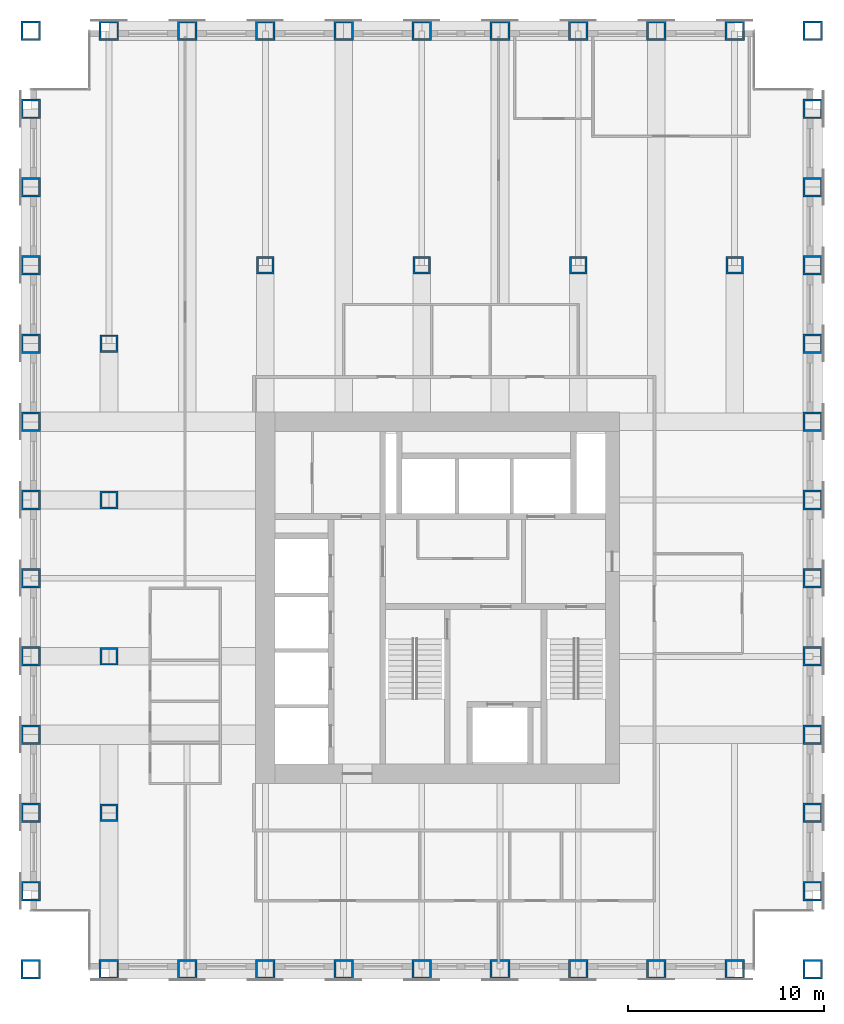
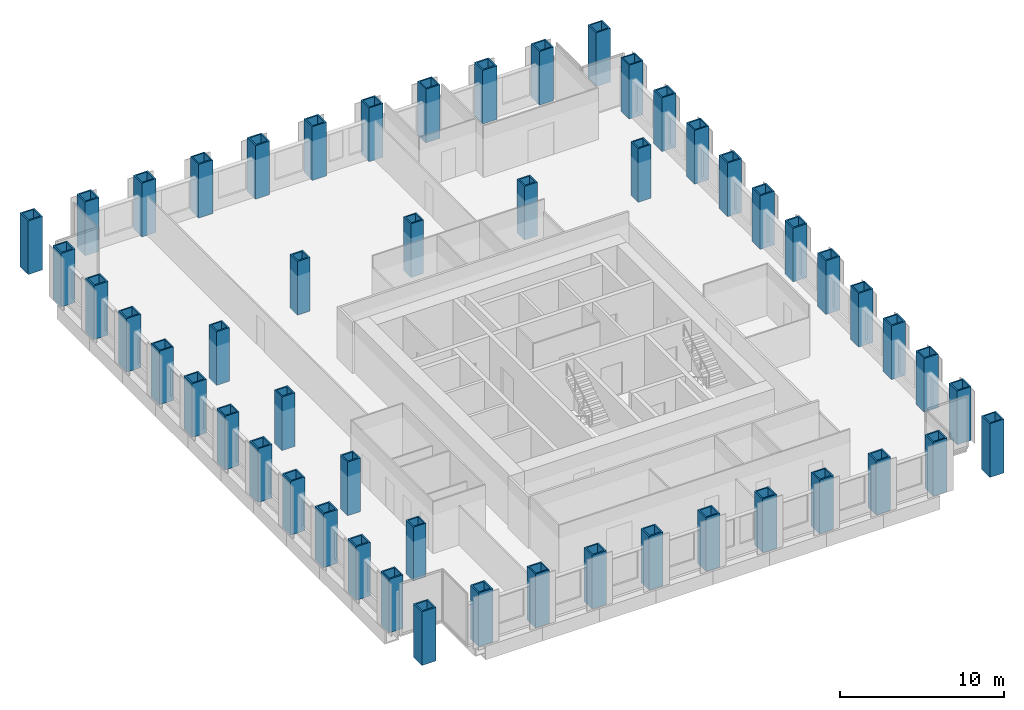
# One storey, part 1 of 13: 52 columns.
"""IFC4 building model written with IfcOpenShell, lengths in metres."""

import ifcopenshell
import ifcopenshell.guid

model = None  # the IFC model being written
_history = None  # IfcOwnerHistory: only IFC2X3 demands one
_inside = {}  # id of a spatial element -> (the spatial element, [elements in it])
_under = {}  # id of a project, library or spatial element -> (it, [spatial elements below it])
_declared = {}  # id of a project -> (the project, [libraries it declares])
_typed = {}  # id of a type object -> (the type object, [elements of that type])
_made_of = {}  # id of a material, layer set ... -> (it, [elements and type objects made of it])


def new_model(schema):
    """Start an empty IFC model of exactly this schema.

    Asked for "IFC4X3", IfcOpenShell would pick the latest addendum, in which some entities
    have other attributes; the version numbers below select the first issue.
    IFC2X3 requires an IfcOwnerHistory on every rooted entity: one is made here for all.
    """
    global model, _history
    if schema == "IFC4X3":
        model = ifcopenshell.file(schema_version=(4, 3, 0, 0))
    else:
        model = ifcopenshell.file(schema=schema)
    _inside.clear()
    _under.clear()
    _declared.clear()
    _typed.clear()
    _made_of.clear()
    _history = None
    if model.schema == "IFC2X3":
        org = make("IfcOrganization", Name="unknown")
        user = make(
            "IfcPersonAndOrganization",
            ThePerson=make("IfcPerson", FamilyName="unknown"),
            TheOrganization=org,
        )
        app = make(
            "IfcApplication",
            ApplicationDeveloper=org,
            Version="unknown",
            ApplicationFullName="unknown",
            ApplicationIdentifier="unknown",
        )
        _history = make(
            "IfcOwnerHistory",
            OwningUser=user,
            OwningApplication=app,
            ChangeAction="ADDED",
            CreationDate=0,
        )
    return model


def make(cls, **values):
    """One entity of the class cls with the attributes given. An attribute that is None is left unset."""
    return model.create_entity(
        cls, **{name: value for name, value in values.items() if value is not None}
    )


def rooted(cls, **values):
    """An entity with a GlobalId (a new one), such as an element, a storey or a relation."""
    return make(cls, GlobalId=ifcopenshell.guid.new(), OwnerHistory=_history, **values)


def si_unit(unit_type, name, prefix=None):
    """IfcSIUnit, for example si_unit("LENGTHUNIT", "METRE", prefix="MILLI")."""
    return make("IfcSIUnit", UnitType=unit_type, Prefix=prefix, Name=name)


def assignment(units):
    """IfcUnitAssignment: the units of a project."""
    return None if units is None else make("IfcUnitAssignment", Units=units)


def point(xyz):
    """IfcCartesianPoint."""
    return None if xyz is None else make("IfcCartesianPoint", Coordinates=xyz)


def direction(xyz):
    """IfcDirection."""
    return None if xyz is None else make("IfcDirection", DirectionRatios=xyz)


def frame(location, z_axis=None, x_axis=None):
    """IfcAxis2Placement3D, a coordinate frame: its origin and axes. An axis left out is left unset."""
    return make(
        "IfcAxis2Placement3D",
        Location=point(location),
        Axis=direction(z_axis),
        RefDirection=direction(x_axis),
    )


def frame_2d(location, x_axis=None):
    """IfcAxis2Placement2D, a coordinate frame in the plane: its origin and x axis."""
    return make(
        "IfcAxis2Placement2D", Location=point(location), RefDirection=direction(x_axis)
    )


def origin():
    """The frame at (0, 0, 0) with its axes left unset."""
    return frame((0.0, 0.0, 0.0))


def origin_2d():
    """The frame at (0, 0) in the plane with its x axis left unset."""
    return frame_2d((0.0, 0.0))


def place(relative_to, where):
    """IfcLocalPlacement: puts the frame where relative to a parent placement (None: the world)."""
    return make(
        "IfcLocalPlacement", PlacementRelTo=relative_to, RelativePlacement=where
    )


def context(
    kind, dimensions, precision=None, world=None, true_north=None, identifier=None
):
    """IfcGeometricRepresentationContext, for example the 3D "Model" context."""
    return make(
        "IfcGeometricRepresentationContext",
        ContextIdentifier=identifier,
        ContextType=kind,
        CoordinateSpaceDimension=dimensions,
        Precision=precision,
        WorldCoordinateSystem=world,
        TrueNorth=true_north,
    )


def subcontext(parent, identifier, kind, view, scale=None):
    """IfcGeometricRepresentationSubContext, for example "Body" below "Model"."""
    return make(
        "IfcGeometricRepresentationSubContext",
        ContextIdentifier=identifier,
        ContextType=kind,
        ParentContext=parent,
        TargetScale=scale,
        TargetView=view,
    )


def project(units=None, contexts=None):
    """IfcProject with its units and contexts."""
    return rooted(
        "IfcProject",
        Name="project",
        RepresentationContexts=contexts,
        UnitsInContext=assignment(units),
    )


def spatial(cls, under=None, at=None, **own):
    """A site, building, storey or space (cls), placed at a placement, below another one or the project."""
    s = rooted(cls, ObjectPlacement=at, **own)
    if under is not None:
        _under.setdefault(under.id(), (under, []))[1].append(s)
    return s


def profile(cls, at=None, kind="AREA", **sizes):
    """A parametric profile (cls). Its sizes go by their IFC names, for example OverallWidth=200.0."""
    return make(cls, ProfileType=kind, Position=at, **sizes)


def hollow_rectangle(**sizes):
    """IfcRectangleHollowProfileDef."""
    return profile("IfcRectangleHollowProfileDef", **sizes)


def extrude(swept, where, along, depth):
    """IfcExtrudedAreaSolid: the profile swept, set in the frame where, extruded along a direction by depth."""
    return make(
        "IfcExtrudedAreaSolid",
        SweptArea=swept,
        Position=where,
        ExtrudedDirection=direction(along),
        Depth=depth,
    )


def shape(context_of_items, identifier, shape_type, items):
    """IfcShapeRepresentation: the items that make up one representation, for example the "Body"."""
    return make(
        "IfcShapeRepresentation",
        ContextOfItems=context_of_items,
        RepresentationIdentifier=identifier,
        RepresentationType=shape_type,
        Items=items,
    )


def material(Name=None, Category=None):
    """IfcMaterial."""
    return make("IfcMaterial", Name=Name, Category=Category)


def material_profile(
    of_material, cross_section, Name=None, Category=None, Priority=None
):
    """IfcMaterialProfile: a cross section and its material."""
    return make(
        "IfcMaterialProfile",
        Name=Name,
        Material=of_material,
        Profile=cross_section,
        Priority=Priority,
        Category=Category,
    )


def profile_set(profiles, Name=None, composite=None):
    """IfcMaterialProfileSet."""
    return make(
        "IfcMaterialProfileSet",
        Name=Name,
        MaterialProfiles=profiles,
        CompositeProfile=composite,
    )


def made_of(thing, what):
    """Note that an element or type object is made of a material, layer set ...; save() writes the relation."""
    if what is not None:
        _made_of.setdefault(what.id(), (what, []))[1].append(thing)
    return thing


def type_object(cls, material=None, **own):
    """A type object (cls), such as IfcWallType, which elements share."""
    return made_of(rooted(cls, **own), material)


def element(
    cls,
    number,
    at=None,
    inside=None,
    cuts=None,
    type_object=None,
    material=None,
    context=None,
    identifier="Body",
    shape_type=None,
    held_by="IfcProductDefinitionShape",
    body=None,
    shapes=None,
    **own,
):
    """One element of the class cls, such as IfcWall. Its Tag is "e" and its number.

    at: its placement. inside: the storey or other place that contains it. cuts: it is an
    opening in that element (IfcRelVoidsElement). A single representation is given by context,
    identifier, shape_type and body (its items); several are given by shapes. held_by: the class
    of the entity that holds the representations. save() writes the other relations.
    """
    e = rooted(cls, Tag="e%d" % number, ObjectPlacement=at, **own)
    if body is not None:
        shapes = [shape(context, identifier, shape_type, body)]
    if shapes is not None:
        e.Representation = make(held_by, Representations=shapes)
    if inside is not None:
        _inside.setdefault(inside.id(), (inside, []))[1].append(e)
    if cuts is not None:
        rooted(
            "IfcRelVoidsElement", RelatingBuildingElement=cuts, RelatedOpeningElement=e
        )
    if type_object is not None:
        _typed.setdefault(type_object.id(), (type_object, []))[1].append(e)
    return made_of(e, material)


def aggregate(whole, parts):
    """IfcRelAggregates: a whole, such as a stair, and the parts it consists of."""
    return rooted("IfcRelAggregates", RelatingObject=whole, RelatedObjects=parts)


def save(model, path):
    """Write the relations noted so far, then the file.

    IfcRelAggregates (storeys below a building ...), IfcRelContainedInSpatialStructure (elements
    in a storey), IfcRelDefinesByType, IfcRelAssociatesMaterial and IfcRelDeclares: one each for
    every whole, place, type object, material and project.
    """
    for whole, parts in _under.values():
        aggregate(whole, parts)
    for where, things in _inside.values():
        rooted(
            "IfcRelContainedInSpatialStructure",
            RelatedElements=things,
            RelatingStructure=where,
        )
    for kind, things in _typed.values():
        rooted("IfcRelDefinesByType", RelatedObjects=things, RelatingType=kind)
    for what, things in _made_of.values():
        rooted("IfcRelAssociatesMaterial", RelatedObjects=things, RelatingMaterial=what)
    for by, libraries in _declared.values():
        rooted("IfcRelDeclares", RelatingContext=by, RelatedDefinitions=libraries)
    model.write(path)


model = new_model("IFC4")

# Units and contexts
model_context = context("Model", 3, precision=1e-05, world=origin(), true_north=direction((0.0, 1.0)))
body_context = subcontext(model_context, "Body", "Model", "MODEL_VIEW")
ifc_project = project(units=[si_unit("LENGTHUNIT", "METRE"), si_unit("AREAUNIT", "SQUARE_METRE"), si_unit("VOLUMEUNIT", "CUBIC_METRE"), si_unit("PLANEANGLEUNIT", "RADIAN"), si_unit("MASSUNIT", "GRAM", prefix="KILO")], contexts=[model_context])

# Site, building, storey
site_placement = place(None, origin())
site = spatial("IfcSite", under=ifc_project, at=site_placement, CompositionType="ELEMENT")
building_placement = place(site_placement, origin())
building = spatial("IfcBuilding", under=site, at=building_placement, Name="Rimbunsela Tower", CompositionType="ELEMENT")
storey_placement = place(building_placement, frame((0.0, 0.0, 191.800048828125)))
storey = spatial("IfcBuildingStorey", under=building, at=storey_placement, Name="L46", CompositionType="ELEMENT", Elevation=191.800048828125)

# Columns
ifc_material_1 = material(Name="Steel BJ 55 (fy 410 MPa)", Category="steel")
ifc_material_profile_1 = material_profile(ifc_material_1, hollow_rectangle(XDim=1.0, YDim=1.0, WallThickness=0.10009765625, at=origin_2d()), Name="BOX 1000x1000x100")
ifc_profile_set_1 = profile_set([ifc_material_profile_1], Name="Steel BJ 55 (fy 410 MPa)")
column_type_1 = type_object("IfcColumnType", Name="Column BOX 1000x1000x100", PredefinedType="COLUMN", material=ifc_profile_set_1)
for number, where, z_axis, x_axis, name in (
    (1, (6.0, 8.0, 0.0), (0.0, 0.0, 1.0), (1.0, 0.0, 0.0), "Column C1 4/D L46"),
    (2, (6.0, 12.0, 0.0), (0.0, 0.0, 1.0), (1.0, 0.0, 0.0), "Column C1 4/E L46"),
    (3, (6.0, 16.0, 0.0), (0.0, 0.0, 1.0), (1.0, 0.0, 0.0), "Column C1 4/F L46"),
    (4, (6.0, 20.0, 0.0), (0.0, 0.0, 1.0), (1.0, 0.0, 0.0), "Column C1 4/G L46"),
    (5, (6.0, 24.0, 0.0), (0.0, 0.0, 1.0), (1.0, 0.0, 0.0), "Column C1 4/H L46"),
    (6, (6.0, 28.0, 0.0), (0.0, 0.0, 1.0), (1.0, 0.0, 0.0), "Column C1 4/J L46"),
    (7, (6.0, 32.0, 0.0), (0.0, 0.0, 1.0), (1.0, 0.0, 0.0), "Column C1 4/K L46"),
    (8, (6.0, 36.0, 0.0), (0.0, 0.0, 1.0), (1.0, 0.0, 0.0), "Column C1 4/L L46"),
    (9, (6.0, 40.0, 0.0), (0.0, 0.0, 1.0), (1.0, 0.0, 0.0), "Column C1 4/M L46"),
    (10, (6.0, 44.0, 0.0), (0.0, 0.0, 1.0), (1.0, 0.0, 0.0), "Column C1 4/N L46"),
    (11, (6.0, 48.0, 0.0), (0.0, 0.0, 1.0), (1.0, 0.0, 0.0), "Column C1 4/P L46"),
    (12, (6.0, 52.0, 0.0), (0.0, 0.0, 1.0), (1.0, 0.0, 0.0), "Column C1 4/Q L46"),
    (13, (6.0, 56.0, 0.0), (0.0, 0.0, 1.0), (1.0, 0.0, 0.0), "Column C1 4/R L46"),
    (14, (10.0, 8.0, 0.0), (0.0, 0.0, 1.0), (1.0, 0.0, 0.0), "Column C1 5/D L46"),
    (15, (10.0, 56.0, 0.0), (0.0, 0.0, 1.0), (1.0, 0.0, 0.0), "Column C1 5/R L46"),
    (16, (14.0, 8.0, 0.0), (0.0, 0.0, 1.0), (1.0, 0.0, 0.0), "Column C1 6/D L46"),
    (17, (14.0, 56.0, 0.0), (0.0, 0.0, 1.0), (1.0, 0.0, 0.0), "Column C1 6/R L46"),
    (18, (18.0, 8.0, 0.0), (0.0, 0.0, 1.0), (1.0, 0.0, 0.0), "Column C1 7/D L46"),
    (19, (18.0, 56.0, 0.0), (0.0, 0.0, 1.0), (1.0, 0.0, 0.0), "Column C1 7/R L46"),
    (20, (22.0, 8.0, 0.0), (0.0, 0.0, 1.0), (1.0, 0.0, 0.0), "Column C1 8/D L46"),
    (21, (22.0, 56.0, 0.0), (0.0, 0.0, 1.0), (1.0, 0.0, 0.0), "Column C1 8/R L46"),
    (22, (26.0, 8.0, 0.0), (0.0, 0.0, 1.0), (1.0, 0.0, 0.0), "Column C1 9/D L46"),
    (23, (26.0, 56.0, 0.0), (0.0, 0.0, 1.0), (1.0, 0.0, 0.0), "Column C1 9/R L46"),
    (24, (30.0, 8.0, 0.0), (0.0, 0.0, 1.0), (1.0, 0.0, 0.0), "Column C1 10/D L46"),
    (25, (30.0, 56.0, 0.0), (0.0, 0.0, 1.0), (1.0, 0.0, 0.0), "Column C1 10/R L46"),
    (26, (34.0, 8.0, 0.0), (0.0, 0.0, 1.0), (1.0, 0.0, 0.0), "Column C1 11/D L46"),
    (27, (34.0, 56.0, 0.0), (0.0, 0.0, 1.0), (1.0, 0.0, 0.0), "Column C1 11/R L46"),
    (28, (38.0, 8.0, 0.0), (0.0, 0.0, 1.0), (1.0, 0.0, 0.0), "Column C1 12/D L46"),
    (29, (38.0, 56.0, 0.0), (0.0, 0.0, 1.0), (1.0, 0.0, 0.0), "Column C1 12/R L46"),
    (30, (42.0, 8.0, 0.0), (0.0, 0.0, 1.0), (1.0, 0.0, 0.0), "Column C1 13/D L46"),
    (31, (42.0, 56.0, 0.0), (0.0, 0.0, 1.0), (1.0, 0.0, 0.0), "Column C1 13/R L46"),
    (32, (46.0, 8.0, 0.0), (0.0, 0.0, 1.0), (1.0, 0.0, 0.0), "Column C1 14/D L46"),
    (33, (46.0, 12.0, 0.0), (0.0, 0.0, 1.0), (1.0, 0.0, 0.0), "Column C1 14/E L46"),
    (34, (46.0, 16.0, 0.0), (0.0, 0.0, 1.0), (1.0, 0.0, 0.0), "Column C1 14/F L46"),
    (35, (46.0, 20.0, 0.0), (0.0, 0.0, 1.0), (1.0, 0.0, 0.0), "Column C1 14/G L46"),
    (36, (46.0, 24.0, 0.0), (0.0, 0.0, 1.0), (1.0, 0.0, 0.0), "Column C1 14/H L46"),
    (37, (46.0, 28.0, 0.0), (0.0, 0.0, 1.0), (1.0, 0.0, 0.0), "Column C1 14/J L46"),
    (38, (46.0, 32.0, 0.0), (0.0, 0.0, 1.0), (1.0, 0.0, 0.0), "Column C1 14/K L46"),
    (39, (46.0, 36.0, 0.0), (0.0, 0.0, 1.0), (1.0, 0.0, 0.0), "Column C1 14/L L46"),
    (40, (46.0, 40.0, 0.0), (0.0, 0.0, 1.0), (1.0, 0.0, 0.0), "Column C1 14/M L46"),
    (41, (46.0, 44.0, 0.0), (0.0, 0.0, 1.0), (1.0, 0.0, 0.0), "Column C1 14/N L46"),
    (42, (46.0, 48.0, 0.0), (0.0, 0.0, 1.0), (1.0, 0.0, 0.0), "Column C1 14/P L46"),
    (43, (46.0, 52.0, 0.0), (0.0, 0.0, 1.0), (1.0, 0.0, 0.0), "Column C1 14/Q L46"),
    (44, (46.0, 56.0, 0.0), (0.0, 0.0, 1.0), (1.0, 0.0, 0.0), "Column C1 14/R L46"),
):
    element("IfcColumn", number, at=place(storey_placement, frame(where, z_axis=z_axis, x_axis=x_axis)), inside=storey, type_object=column_type_1, Name=name, PredefinedType="COLUMN", context=body_context, shape_type="SweptSolid", body=[
        extrude(hollow_rectangle(XDim=1.0, YDim=1.0, WallThickness=0.10009765625, at=origin_2d()), origin(), (0.0, 0.0, 1.0), 4.0),
    ])
ifc_material_2 = material(Name="Steel BJ 55 (fy 410 MPa)", Category="steel")
ifc_material_profile_2 = material_profile(ifc_material_2, hollow_rectangle(XDim=0.89990234375, YDim=0.89990234375, WallThickness=0.10009765625, at=origin_2d()), Name="BOX 900x900x100")
ifc_profile_set_2 = profile_set([ifc_material_profile_2], Name="Steel BJ 55 (fy 410 MPa)")
column_type_2 = type_object("IfcColumnType", Name="Column BOX 900x900x100", PredefinedType="COLUMN", material=ifc_profile_set_2)
for number, where, z_axis, x_axis, name in (
    (45, (10.0, 16.0, 0.0), (0.0, 0.0, 1.0), (1.0, 0.0, 0.0), "Column C5 5/F L46"),
    (46, (10.0, 24.0, 0.0), (0.0, 0.0, 1.0), (1.0, 0.0, 0.0), "Column C5 5/H L46"),
    (47, (10.0, 32.0, 0.0), (0.0, 0.0, 1.0), (1.0, 0.0, 0.0), "Column C5 5/K L46"),
    (48, (10.0, 40.0, 0.0), (0.0, 0.0, 1.0), (1.0, 0.0, 0.0), "Column C5 5/M L46"),
    (49, (18.0, 44.0, 0.0), (0.0, 0.0, 1.0), (1.0, 0.0, 0.0), "Column C5 7/N L46"),
    (50, (26.0, 44.0, 0.0), (0.0, 0.0, 1.0), (1.0, 0.0, 0.0), "Column C5 9/N L46"),
    (51, (34.0, 44.0, 0.0), (0.0, 0.0, 1.0), (1.0, 0.0, 0.0), "Column C5 11/N L46"),
    (52, (42.0, 44.0, 0.0), (0.0, 0.0, 1.0), (1.0, 0.0, 0.0), "Column C5 13/N L46"),
):
    element("IfcColumn", number, at=place(storey_placement, frame(where, z_axis=z_axis, x_axis=x_axis)), inside=storey, type_object=column_type_2, Name=name, PredefinedType="COLUMN", context=body_context, shape_type="SweptSolid", body=[
        extrude(hollow_rectangle(XDim=0.89990234375, YDim=0.89990234375, WallThickness=0.10009765625, at=origin_2d()), origin(), (0.0, 0.0, 1.0), 4.0),
    ])

save(model, "model.ifc")
